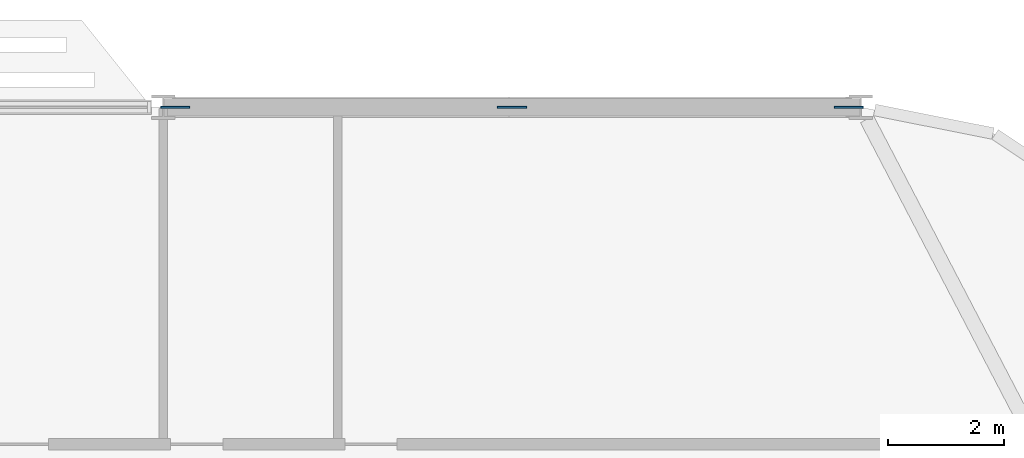
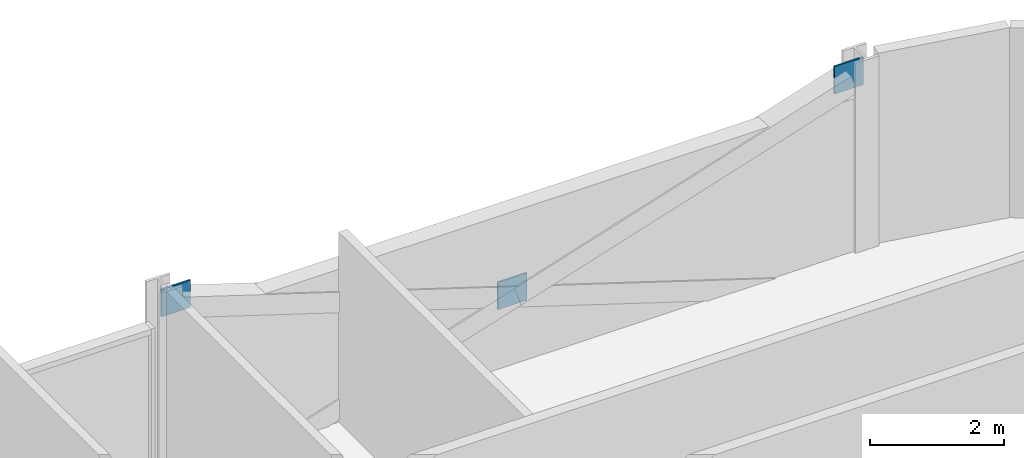
# One storey, part 21 of 27: 3 discrete accessories.
"""IFC4 building model written with IfcOpenShell, lengths in metres."""

import ifcopenshell
import ifcopenshell.guid

model = None  # the IFC model being written
_history = None  # IfcOwnerHistory: only IFC2X3 demands one
_inside = {}  # id of a spatial element -> (the spatial element, [elements in it])
_under = {}  # id of a project, library or spatial element -> (it, [spatial elements below it])
_declared = {}  # id of a project -> (the project, [libraries it declares])
_typed = {}  # id of a type object -> (the type object, [elements of that type])
_made_of = {}  # id of a material, layer set ... -> (it, [elements and type objects made of it])


def new_model(schema):
    """Start an empty IFC model of exactly this schema.

    Asked for "IFC4X3", IfcOpenShell would pick the latest addendum, in which some entities
    have other attributes; the version numbers below select the first issue.
    IFC2X3 requires an IfcOwnerHistory on every rooted entity: one is made here for all.
    """
    global model, _history
    if schema == "IFC4X3":
        model = ifcopenshell.file(schema_version=(4, 3, 0, 0))
    else:
        model = ifcopenshell.file(schema=schema)
    _inside.clear()
    _under.clear()
    _declared.clear()
    _typed.clear()
    _made_of.clear()
    _history = None
    if model.schema == "IFC2X3":
        org = make("IfcOrganization", Name="unknown")
        user = make(
            "IfcPersonAndOrganization",
            ThePerson=make("IfcPerson", FamilyName="unknown"),
            TheOrganization=org,
        )
        app = make(
            "IfcApplication",
            ApplicationDeveloper=org,
            Version="unknown",
            ApplicationFullName="unknown",
            ApplicationIdentifier="unknown",
        )
        _history = make(
            "IfcOwnerHistory",
            OwningUser=user,
            OwningApplication=app,
            ChangeAction="ADDED",
            CreationDate=0,
        )
    return model


def make(cls, **values):
    """One entity of the class cls with the attributes given. An attribute that is None is left unset."""
    return model.create_entity(
        cls, **{name: value for name, value in values.items() if value is not None}
    )


def rooted(cls, **values):
    """An entity with a GlobalId (a new one), such as an element, a storey or a relation."""
    return make(cls, GlobalId=ifcopenshell.guid.new(), OwnerHistory=_history, **values)


def si_unit(unit_type, name, prefix=None):
    """IfcSIUnit, for example si_unit("LENGTHUNIT", "METRE", prefix="MILLI")."""
    return make("IfcSIUnit", UnitType=unit_type, Prefix=prefix, Name=name)


def assignment(units):
    """IfcUnitAssignment: the units of a project."""
    return None if units is None else make("IfcUnitAssignment", Units=units)


def point(xyz):
    """IfcCartesianPoint."""
    return None if xyz is None else make("IfcCartesianPoint", Coordinates=xyz)


def direction(xyz):
    """IfcDirection."""
    return None if xyz is None else make("IfcDirection", DirectionRatios=xyz)


def frame(location, z_axis=None, x_axis=None):
    """IfcAxis2Placement3D, a coordinate frame: its origin and axes. An axis left out is left unset."""
    return make(
        "IfcAxis2Placement3D",
        Location=point(location),
        Axis=direction(z_axis),
        RefDirection=direction(x_axis),
    )


def frame_2d(location, x_axis=None):
    """IfcAxis2Placement2D, a coordinate frame in the plane: its origin and x axis."""
    return make(
        "IfcAxis2Placement2D", Location=point(location), RefDirection=direction(x_axis)
    )


def origin():
    """The frame at (0, 0, 0) with its axes left unset."""
    return frame((0.0, 0.0, 0.0))


def origin_2d():
    """The frame at (0, 0) in the plane with its x axis left unset."""
    return frame_2d((0.0, 0.0))


def place(relative_to, where):
    """IfcLocalPlacement: puts the frame where relative to a parent placement (None: the world)."""
    return make(
        "IfcLocalPlacement", PlacementRelTo=relative_to, RelativePlacement=where
    )


def context(
    kind, dimensions, precision=None, world=None, true_north=None, identifier=None
):
    """IfcGeometricRepresentationContext, for example the 3D "Model" context."""
    return make(
        "IfcGeometricRepresentationContext",
        ContextIdentifier=identifier,
        ContextType=kind,
        CoordinateSpaceDimension=dimensions,
        Precision=precision,
        WorldCoordinateSystem=world,
        TrueNorth=true_north,
    )


def subcontext(parent, identifier, kind, view, scale=None):
    """IfcGeometricRepresentationSubContext, for example "Body" below "Model"."""
    return make(
        "IfcGeometricRepresentationSubContext",
        ContextIdentifier=identifier,
        ContextType=kind,
        ParentContext=parent,
        TargetScale=scale,
        TargetView=view,
    )


def project(units=None, contexts=None):
    """IfcProject with its units and contexts."""
    return rooted(
        "IfcProject",
        Name="project",
        RepresentationContexts=contexts,
        UnitsInContext=assignment(units),
    )


def spatial(cls, under=None, at=None, **own):
    """A site, building, storey or space (cls), placed at a placement, below another one or the project."""
    s = rooted(cls, ObjectPlacement=at, **own)
    if under is not None:
        _under.setdefault(under.id(), (under, []))[1].append(s)
    return s


def profile(cls, at=None, kind="AREA", **sizes):
    """A parametric profile (cls). Its sizes go by their IFC names, for example OverallWidth=200.0."""
    return make(cls, ProfileType=kind, Position=at, **sizes)


def rectangle(**sizes):
    """IfcRectangleProfileDef."""
    return profile("IfcRectangleProfileDef", **sizes)


def extrude(swept, where, along, depth):
    """IfcExtrudedAreaSolid: the profile swept, set in the frame where, extruded along a direction by depth."""
    return make(
        "IfcExtrudedAreaSolid",
        SweptArea=swept,
        Position=where,
        ExtrudedDirection=direction(along),
        Depth=depth,
    )


def shape(context_of_items, identifier, shape_type, items):
    """IfcShapeRepresentation: the items that make up one representation, for example the "Body"."""
    return make(
        "IfcShapeRepresentation",
        ContextOfItems=context_of_items,
        RepresentationIdentifier=identifier,
        RepresentationType=shape_type,
        Items=items,
    )


def material(Name=None, Category=None):
    """IfcMaterial."""
    return make("IfcMaterial", Name=Name, Category=Category)


def layer(
    of_material, thickness, ventilated=None, Name=None, Category=None, Priority=None
):
    """IfcMaterialLayer: one layer of a wall or slab, of a material (None: an air gap)."""
    return make(
        "IfcMaterialLayer",
        Material=of_material,
        LayerThickness=thickness,
        IsVentilated=ventilated,
        Name=Name,
        Category=Category,
        Priority=Priority,
    )


def layer_set(layers, Name=None):
    """IfcMaterialLayerSet."""
    return make("IfcMaterialLayerSet", MaterialLayers=layers, LayerSetName=Name)


def made_of(thing, what):
    """Note that an element or type object is made of a material, layer set ...; save() writes the relation."""
    if what is not None:
        _made_of.setdefault(what.id(), (what, []))[1].append(thing)
    return thing


def type_object(cls, material=None, **own):
    """A type object (cls), such as IfcWallType, which elements share."""
    return made_of(rooted(cls, **own), material)


def element(
    cls,
    number,
    at=None,
    inside=None,
    cuts=None,
    type_object=None,
    material=None,
    context=None,
    identifier="Body",
    shape_type=None,
    held_by="IfcProductDefinitionShape",
    body=None,
    shapes=None,
    **own,
):
    """One element of the class cls, such as IfcWall. Its Tag is "e" and its number.

    at: its placement. inside: the storey or other place that contains it. cuts: it is an
    opening in that element (IfcRelVoidsElement). A single representation is given by context,
    identifier, shape_type and body (its items); several are given by shapes. held_by: the class
    of the entity that holds the representations. save() writes the other relations.
    """
    e = rooted(cls, Tag="e%d" % number, ObjectPlacement=at, **own)
    if body is not None:
        shapes = [shape(context, identifier, shape_type, body)]
    if shapes is not None:
        e.Representation = make(held_by, Representations=shapes)
    if inside is not None:
        _inside.setdefault(inside.id(), (inside, []))[1].append(e)
    if cuts is not None:
        rooted(
            "IfcRelVoidsElement", RelatingBuildingElement=cuts, RelatedOpeningElement=e
        )
    if type_object is not None:
        _typed.setdefault(type_object.id(), (type_object, []))[1].append(e)
    return made_of(e, material)


def aggregate(whole, parts):
    """IfcRelAggregates: a whole, such as a stair, and the parts it consists of."""
    return rooted("IfcRelAggregates", RelatingObject=whole, RelatedObjects=parts)


def save(model, path):
    """Write the relations noted so far, then the file.

    IfcRelAggregates (storeys below a building ...), IfcRelContainedInSpatialStructure (elements
    in a storey), IfcRelDefinesByType, IfcRelAssociatesMaterial and IfcRelDeclares: one each for
    every whole, place, type object, material and project.
    """
    for whole, parts in _under.values():
        aggregate(whole, parts)
    for where, things in _inside.values():
        rooted(
            "IfcRelContainedInSpatialStructure",
            RelatedElements=things,
            RelatingStructure=where,
        )
    for kind, things in _typed.values():
        rooted("IfcRelDefinesByType", RelatedObjects=things, RelatingType=kind)
    for what, things in _made_of.values():
        rooted("IfcRelAssociatesMaterial", RelatedObjects=things, RelatingMaterial=what)
    for by, libraries in _declared.values():
        rooted("IfcRelDeclares", RelatingContext=by, RelatedDefinitions=libraries)
    model.write(path)


model = new_model("IFC4")

# Units and contexts
model_context = context("Model", 3, precision=1e-05, world=origin(), true_north=direction((0.0, 1.0)))
body_context = subcontext(model_context, "Body", "Model", "MODEL_VIEW")
ifc_project = project(units=[si_unit("LENGTHUNIT", "METRE"), si_unit("AREAUNIT", "SQUARE_METRE"), si_unit("VOLUMEUNIT", "CUBIC_METRE"), si_unit("PLANEANGLEUNIT", "RADIAN"), si_unit("MASSUNIT", "GRAM", prefix="KILO")], contexts=[model_context])

# Site, building, storey
site_placement = place(None, origin())
site = spatial("IfcSite", under=ifc_project, at=site_placement, CompositionType="ELEMENT")
building_placement = place(site_placement, origin())
building = spatial("IfcBuilding", under=site, at=building_placement, Name="Mahtab Terrace Research Tower", CompositionType="ELEMENT")
storey_placement = place(building_placement, frame((0.0, 0.0, 178.199951171875)))
storey = spatial("IfcBuildingStorey", under=building, at=storey_placement, Name="L42", CompositionType="ELEMENT", Elevation=178.199951171875)

# Discrete accessories
ifc_material = material(Name="Steel ASTM A992 Gr 50", Category="steel")
ifc_layer = layer(ifc_material, 0.030029296875)
ifc_layer_set = layer_set([ifc_layer], Name="Gusset plate 500x500x30")
discrete_accessory_type = type_object("IfcDiscreteAccessoryType", Name="Gusset plate 500x500x30", PredefinedType="USERDEFINED", material=ifc_layer_set)
for number, where, z_axis, x_axis, name in (
    (1, (30.203125, 23.0, 2.870849609375), (0.0, 0.0, 1.0), (1.0, 0.0, 0.0), "Gusset plate"),
    (2, (36.0, 23.0, 0.970947265625), (0.0, 0.0, 1.0), (1.0, 0.0, 0.0), "Gusset plate"),
    (3, (41.796875, 23.0, 2.870849609375), (0.0, 0.0, 1.0), (1.0, 0.0, 0.0), "Gusset plate"),
):
    element("IfcDiscreteAccessory", number, at=place(storey_placement, frame(where, z_axis=z_axis, x_axis=x_axis)), inside=storey, type_object=discrete_accessory_type, Name=name, ObjectType="GUSSET PLATE", PredefinedType="USERDEFINED", context=body_context, shape_type="SweptSolid", body=[
        extrude(rectangle(XDim=0.5, YDim=0.030029296875, at=origin_2d()), origin(), (0.0, 0.0, 1.0), 0.5),
    ])

save(model, "model.ifc")
